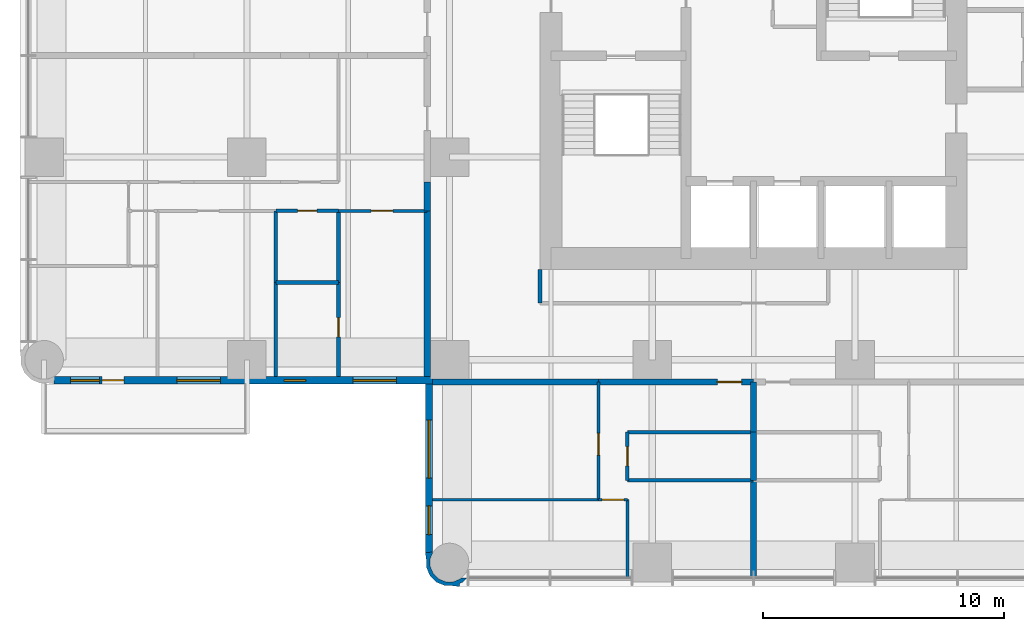
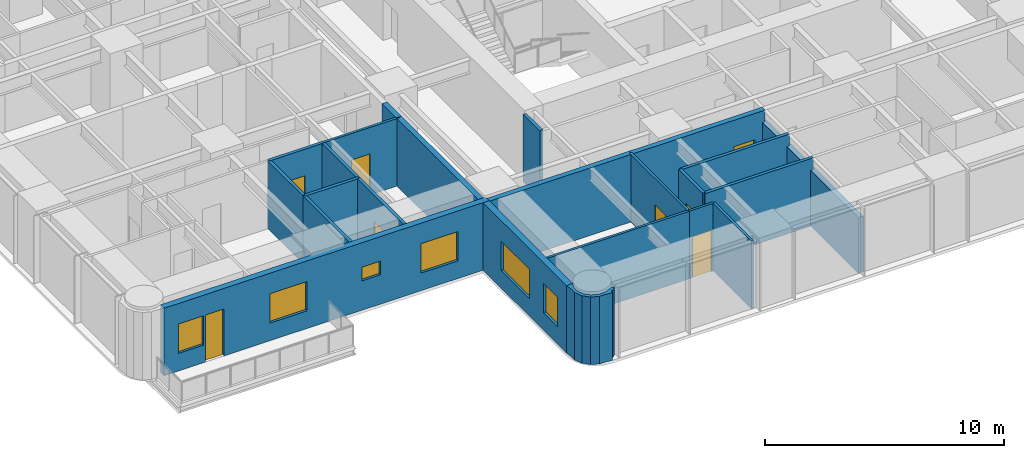
# One storey, part 6 of 14: 25 walls, 8 doors, 6 windows, 14 openings.
"""IFC4 building model written with IfcOpenShell, lengths in metres."""

from ifc_helpers import new_model, si_unit, direction, frame, frame_2d, origin, place, context, subcontext, project, spatial, polyline, rectangle, outline, extrude, material, layer, layer_set, type_object, element, fill, save


model = new_model("IFC4")

# Units and contexts
model_context = context("Model", 3, precision=1e-05, world=origin(), true_north=direction((0.0, 1.0)))
body_context = subcontext(model_context, "Body", "Model", "MODEL_VIEW")
ifc_project = project(units=[si_unit("LENGTHUNIT", "METRE"), si_unit("AREAUNIT", "SQUARE_METRE"), si_unit("VOLUMEUNIT", "CUBIC_METRE"), si_unit("PLANEANGLEUNIT", "RADIAN"), si_unit("MASSUNIT", "GRAM", prefix="KILO")], contexts=[model_context])

# Site, building, storey
site_placement = place(None, origin())
site = spatial("IfcSite", under=ifc_project, at=site_placement, CompositionType="ELEMENT")
building_placement = place(site_placement, origin())
building = spatial("IfcBuilding", under=site, at=building_placement, Name="Torre Alcanfor", CompositionType="ELEMENT")
storey_placement = place(building_placement, frame((0.0, 0.0, 134.10009765625)))
storey = spatial("IfcBuildingStorey", under=building, at=storey_placement, Name="L34", CompositionType="ELEMENT", Elevation=134.10009765625)

# Wall, opening, door
ifc_material_1 = material(Name="Concrete block masonry, hollow blocks NMX-C-404 9 MPa", Category="masonry")
ifc_layer_1 = layer(ifc_material_1, 0.25)
ifc_layer_set_1 = layer_set([ifc_layer_1], Name="Apartment entrance wall 250 EI 60")
wall_type_1 = type_object("IfcWallType", Name="Apartment entrance wall 250 EI 60", PredefinedType="PARTITIONING", material=ifc_layer_set_1)
wall_1_placement = place(storey_placement, frame((29.39990234375, 15.875, 0.0), z_axis=(0.0, 0.0, 1.0), x_axis=(-1.0, 0.0, 0.0)))
wall_1 = element("IfcWall", 1, at=wall_1_placement, inside=storey, type_object=wall_type_1, Name="Partition L34-CORR / L34-S2-LIVING", PredefinedType="PARTITIONING", context=body_context, shape_type="SweptSolid", body=[
    extrude(rectangle(XDim=6.428955078125, YDim=0.25, at=frame_2d((3.21435546875, 0.0))), origin(), (0.0, 0.0, 1.0), 3.449951171875),
])
opening_1_placement = place(wall_1_placement, frame((0.5, 0.0, 0.0)))
opening_1 = element("IfcOpeningElement", 2, at=opening_1_placement, cuts=wall_1, Name="Opening D-A1", PredefinedType="OPENING", context=body_context, shape_type="SweptSolid", body=[
    extrude(rectangle(XDim=1.0, YDim=2.10009765625, at=frame_2d((0.5, 1.050048828125))), frame((0.0, 0.135009765625, 0.0), z_axis=(0.0, -1.0, 0.0), x_axis=(1.0, 0.0, 0.0)), (0.0, 0.0, 1.0), 0.27001953125),
])
ifc_material_2 = material(Name="Galvanised steel sheet ASTM A653", Category="steel")
door_type_1 = type_object("IfcDoorType", Name="Apartment entrance door FD60 1000x2100", OperationType="SINGLE_SWING_LEFT", PredefinedType="DOOR", material=ifc_material_2)
door_1_placement = place(opening_1_placement, origin())
door_1 = element("IfcDoor", 3, at=door_1_placement, inside=storey, type_object=door_type_1, Name="Apartment entrance L34-S2", OperationType="SINGLE_SWING_LEFT", OverallHeight=2.10009765625, OverallWidth=1.0, PredefinedType="DOOR", context=body_context, shape_type="SweptSolid", body=[
    extrude(rectangle(XDim=1.0, YDim=2.10009765625, at=frame_2d((0.5, 1.050048828125))), frame((0.0, 0.02490234375, 0.0), z_axis=(0.0, -1.0, 0.0), x_axis=(1.0, 0.0, 0.0)), (0.0, 0.0, 1.0), 0.050048828125),
])
fill(opening_1, door_1)

# Walls
wall_2_placement = place(storey_placement, frame((22.970947265625, 15.875, 0.0), z_axis=(0.0, 0.0, 1.0), x_axis=(-1.0, 0.0, 0.0)))
element("IfcWall", 4, at=wall_2_placement, inside=storey, type_object=wall_type_1, Name="Partition L34-CORR / L34-S2-BED2", PredefinedType="PARTITIONING", context=body_context, shape_type="SweptSolid", body=[
    extrude(rectangle(XDim=6.870849609375, YDim=0.25, at=frame_2d((3.435546875, 0.0))), origin(), (0.0, 0.0, 1.0), 3.449951171875),
])
wall_3_placement = place(storey_placement, frame((15.875, 22.970947265625, 0.0), z_axis=(0.0, 0.0, 1.0), x_axis=(0.0, 1.0, 0.0)))
element("IfcWall", 5, at=wall_3_placement, inside=storey, type_object=wall_type_1, Name="Partition L34-CORR / L34-W1-HALL", PredefinedType="PARTITIONING", context=body_context, shape_type="SweptSolid", body=[
    extrude(rectangle(XDim=1.199951171875, YDim=0.25, at=frame_2d((0.60009765625, 0.0))), origin(), (0.0, 0.0, 1.0), 3.449951171875),
])
wall_4_placement = place(storey_placement, frame((15.875, 16.10009765625, 0.0), z_axis=(0.0, 0.0, 1.0), x_axis=(0.0, 1.0, 0.0)))
element("IfcWall", 6, at=wall_4_placement, inside=storey, type_object=wall_type_1, Name="Partition L34-CORR / L34-W1-SERV", PredefinedType="PARTITIONING", context=body_context, shape_type="SweptSolid", body=[
    extrude(rectangle(XDim=6.870849609375, YDim=0.25, at=frame_2d((3.435546875, 0.0))), origin(), (0.0, 0.0, 1.0), 3.449951171875),
])

# Wall, opening, door
ifc_material_3 = material(Name="Gypsum board on steel studs", Category="steel")
ifc_layer_2 = layer(ifc_material_3, 0.1201171875)
ifc_layer_set_2 = layer_set([ifc_layer_2], Name="Apartment partition 120")
wall_type_2 = type_object("IfcWallType", Name="Apartment partition 120", PredefinedType="PARTITIONING", material=ifc_layer_set_2)
wall_5_placement = place(storey_placement, frame((22.970947265625, 11.0, 0.0), z_axis=(0.0, 0.0, 1.0), x_axis=(0.0, 1.0, 0.0)))
wall_5 = element("IfcWall", 7, at=wall_5_placement, inside=storey, type_object=wall_type_2, Name="Partition L34-S2-LIVING / L34-S2-BED2", PredefinedType="PARTITIONING", context=body_context, shape_type="SweptSolid", body=[
    extrude(rectangle(XDim=4.875, YDim=0.1201171875, at=frame_2d((2.4375, 0.0))), origin(), (0.0, 0.0, 1.0), 3.449951171875),
])
opening_2_placement = place(wall_5_placement, frame((1.85009765625, 0.0, 0.0)))
opening_2 = element("IfcOpeningElement", 8, at=opening_2_placement, cuts=wall_5, Name="Opening D-R1", PredefinedType="OPENING", context=body_context, shape_type="SweptSolid", body=[
    extrude(rectangle(XDim=0.89990234375, YDim=2.10009765625, at=frame_2d((0.449951171875, 1.050048828125))), frame((0.0, 0.070068359375, 0.0), z_axis=(0.0, -1.0, 0.0), x_axis=(1.0, 0.0, 0.0)), (0.0, 0.0, 1.0), 0.14013671875),
])
ifc_material_4 = material(Name="Timber", Category="wood")
door_type_2 = type_object("IfcDoorType", Name="Internal door 900x2100", OperationType="SINGLE_SWING_LEFT", PredefinedType="DOOR", material=ifc_material_4)
door_2_placement = place(opening_2_placement, origin())
door_2 = element("IfcDoor", 9, at=door_2_placement, inside=storey, type_object=door_type_2, Name="Door L34-S2 bed2", OperationType="SINGLE_SWING_LEFT", OverallHeight=2.10009765625, OverallWidth=0.89990234375, PredefinedType="DOOR", context=body_context, shape_type="SweptSolid", body=[
    extrude(rectangle(XDim=0.89990234375, YDim=2.10009765625, at=frame_2d((0.449951171875, 1.050048828125))), frame((0.0, 0.02490234375, 0.0), z_axis=(0.0, -1.0, 0.0), x_axis=(1.0, 0.0, 0.0)), (0.0, 0.0, 1.0), 0.050048828125),
])
fill(opening_2, door_2)

# Wall
wall_6_placement = place(storey_placement, frame((24.1708984375, 7.75, 0.0), z_axis=(0.0, 0.0, 1.0), x_axis=(0.0, 1.0, 0.0)))
element("IfcWall", 10, at=wall_6_placement, inside=storey, type_object=wall_type_2, Name="Partition L34-S2-LIVING / L34-S2-MASTER", PredefinedType="PARTITIONING", context=body_context, shape_type="SweptSolid", body=[
    extrude(rectangle(XDim=3.25, YDim=0.1201171875, at=frame_2d((1.625, 0.0))), origin(), (0.0, 0.0, 1.0), 3.449951171875),
])

# Wall, opening, door
wall_7_placement = place(storey_placement, frame((24.1708984375, 11.0, 0.0), z_axis=(0.0, 0.0, 1.0), x_axis=(-1.0, 0.0, 0.0)))
wall_7 = element("IfcWall", 11, at=wall_7_placement, inside=storey, type_object=wall_type_2, Name="Partition L34-S2-LIVING / L34-S2-MASTER", PredefinedType="PARTITIONING", context=body_context, shape_type="SweptSolid", body=[
    extrude(rectangle(XDim=1.199951171875, YDim=0.1201171875, at=frame_2d((0.60009765625, 0.0))), origin(), (0.0, 0.0, 1.0), 3.449951171875),
])
opening_3_placement = place(wall_7_placement, frame((0.15087890625, 0.0, 0.0)))
opening_3 = element("IfcOpeningElement", 12, at=opening_3_placement, cuts=wall_7, Name="Opening D-R1", PredefinedType="OPENING", context=body_context, shape_type="SweptSolid", body=[
    extrude(rectangle(XDim=0.89990234375, YDim=2.10009765625, at=frame_2d((0.449951171875, 1.050048828125))), frame((0.0, 0.070068359375, 0.0), z_axis=(0.0, -1.0, 0.0), x_axis=(1.0, 0.0, 0.0)), (0.0, 0.0, 1.0), 0.14013671875),
])
door_3_placement = place(opening_3_placement, origin())
door_3 = element("IfcDoor", 13, at=door_3_placement, inside=storey, type_object=door_type_2, Name="Door L34-S2 master", OperationType="SINGLE_SWING_LEFT", OverallHeight=2.10009765625, OverallWidth=0.89990234375, PredefinedType="DOOR", context=body_context, shape_type="SweptSolid", body=[
    extrude(rectangle(XDim=0.89990234375, YDim=2.10009765625, at=frame_2d((0.449951171875, 1.050048828125))), frame((0.0, 0.02490234375, 0.0), z_axis=(0.0, -1.0, 0.0), x_axis=(1.0, 0.0, 0.0)), (0.0, 0.0, 1.0), 0.050048828125),
])
fill(opening_3, door_3)

# Wall
wall_8_placement = place(storey_placement, frame((22.970947265625, 11.0, 0.0), z_axis=(0.0, 0.0, 1.0), x_axis=(-1.0, 0.0, 0.0)))
element("IfcWall", 14, at=wall_8_placement, inside=storey, type_object=wall_type_2, Name="Partition L34-S2-BED2 / L34-S2-MASTER", PredefinedType="PARTITIONING", context=body_context, shape_type="SweptSolid", body=[
    extrude(rectangle(XDim=6.870849609375, YDim=0.1201171875, at=frame_2d((3.435546875, 0.0))), origin(), (0.0, 0.0, 1.0), 3.449951171875),
])

# Wall, opening, door
wall_9_placement = place(storey_placement, frame((12.199951171875, 22.970947265625, 0.0), z_axis=(0.0, 0.0, 1.0), x_axis=(1.0, 0.0, 0.0)))
wall_9 = element("IfcWall", 15, at=wall_9_placement, inside=storey, type_object=wall_type_2, Name="Partition L34-W1-HALL / L34-W1-SERV", PredefinedType="PARTITIONING", context=body_context, shape_type="SweptSolid", body=[
    extrude(rectangle(XDim=3.675048828125, YDim=0.1201171875, at=frame_2d((1.83740234375, 0.0))), origin(), (0.0, 0.0, 1.0), 3.449951171875),
])
opening_4_placement = place(wall_9_placement, frame((1.35009765625, 0.0, 0.0)))
opening_4 = element("IfcOpeningElement", 16, at=opening_4_placement, cuts=wall_9, Name="Opening D-R1", PredefinedType="OPENING", context=body_context, shape_type="SweptSolid", body=[
    extrude(rectangle(XDim=0.89990234375, YDim=2.10009765625, at=frame_2d((0.449951171875, 1.050048828125))), frame((0.0, 0.070068359375, 0.0), z_axis=(0.0, -1.0, 0.0), x_axis=(1.0, 0.0, 0.0)), (0.0, 0.0, 1.0), 0.14013671875),
])
door_4_placement = place(opening_4_placement, frame((0.89990234375, 0.0, 0.0), z_axis=(0.0, 0.0, 1.0), x_axis=(-1.0, 0.0, 0.0)))
door_4 = element("IfcDoor", 17, at=door_4_placement, inside=storey, type_object=door_type_2, Name="Door L34-W1 serv", OperationType="SINGLE_SWING_RIGHT", OverallHeight=2.10009765625, OverallWidth=0.89990234375, PredefinedType="DOOR", context=body_context, shape_type="SweptSolid", body=[
    extrude(rectangle(XDim=0.89990234375, YDim=2.10009765625, at=frame_2d((0.449951171875, 1.050048828125))), frame((0.0, 0.025146484375, 0.0), z_axis=(0.0, -1.0, 0.0), x_axis=(1.0, 0.0, 0.0)), (0.0, 0.0, 1.0), 0.050048828125),
])
fill(opening_4, door_4)

# Wall, openings, door, windows
ifc_material_5 = material(Name="Limestone cladding", Category="masonry")
ifc_layer_3 = layer(ifc_material_5, 0.0400390625, Name="Facing")
ifc_material_6 = material(Name="Ventilated air cavity")
ifc_layer_4 = layer(ifc_material_6, 0.02001953125, ventilated=True, Name="Ventilated joint")
ifc_material_7 = material(Name="Mineral wool insulation", Category="insulation")
ifc_layer_5 = layer(ifc_material_7, 0.10009765625, Name="Insulation")
ifc_material_8 = material(Name="Concrete f'c 35 MPa", Category="concrete")
ifc_layer_6 = layer(ifc_material_8, 0.139892578125, Name="Backing")
ifc_layer_set_3 = layer_set([ifc_layer_3, ifc_layer_4, ifc_layer_5, ifc_layer_6], Name="External wall stone-clad 300")
wall_type_3 = type_object("IfcWallType", Name="External wall stone-clad 300", PredefinedType="SOLIDWALL", material=ifc_layer_set_3)
wall_10_placement = place(storey_placement, frame((0.39990234375, 15.949951171875, 0.0), z_axis=(0.0, 0.0, 1.0), x_axis=(1.0, 0.0, 0.0)))
wall_10 = element("IfcWall", 18, at=wall_10_placement, inside=storey, type_object=wall_type_3, Name="External wall L34 3", PredefinedType="SOLIDWALL", context=body_context, shape_type="SweptSolid", body=[
    extrude(rectangle(XDim=15.7001953125, YDim=0.300048828125, at=frame_2d((7.85009765625, 0.0))), origin(), (0.0, 0.0, 1.0), 3.449951171875),
])
opening_5_placement = place(wall_10_placement, frame((12.39990234375, 0.0, 0.89990234375)))
opening_5 = element("IfcOpeningElement", 19, at=opening_5_placement, cuts=wall_10, Name="Opening W2", PredefinedType="OPENING", context=body_context, shape_type="SweptSolid", body=[
    extrude(rectangle(XDim=1.800048828125, YDim=1.5, at=frame_2d((0.89990234375, 0.75))), frame((0.0, 0.159912109375, 0.0), z_axis=(0.0, -1.0, 0.0), x_axis=(1.0, 0.0, 0.0)), (0.0, 0.0, 1.0), 0.320068359375),
])
opening_6_placement = place(wall_10_placement, frame((9.550048828125, 0.0, 1.5)))
opening_6 = element("IfcOpeningElement", 20, at=opening_6_placement, cuts=wall_10, Name="Opening W3", PredefinedType="OPENING", context=body_context, shape_type="SweptSolid", body=[
    extrude(rectangle(XDim=0.89990234375, YDim=0.699951171875, at=frame_2d((0.449951171875, 0.35009765625))), frame((0.0, 0.159912109375, 0.0), z_axis=(0.0, -1.0, 0.0), x_axis=(1.0, 0.0, 0.0)), (0.0, 0.0, 1.0), 0.320068359375),
])
opening_7_placement = place(wall_10_placement, frame((5.10009765625, 0.0, 0.89990234375)))
opening_7 = element("IfcOpeningElement", 21, at=opening_7_placement, cuts=wall_10, Name="Opening W2", PredefinedType="OPENING", context=body_context, shape_type="SweptSolid", body=[
    extrude(rectangle(XDim=1.800048828125, YDim=1.5, at=frame_2d((0.89990234375, 0.75))), frame((0.0, 0.159912109375, 0.0), z_axis=(0.0, -1.0, 0.0), x_axis=(1.0, 0.0, 0.0)), (0.0, 0.0, 1.0), 0.320068359375),
])
opening_8_placement = place(wall_10_placement, frame((2.0, 0.0, 0.0)))
opening_8 = element("IfcOpeningElement", 22, at=opening_8_placement, cuts=wall_10, Name="Opening D-B1", PredefinedType="OPENING", context=body_context, shape_type="SweptSolid", body=[
    extrude(rectangle(XDim=0.89990234375, YDim=2.39990234375, at=frame_2d((0.449951171875, 1.199951171875))), frame((0.0, 0.159912109375, 0.0), z_axis=(0.0, -1.0, 0.0), x_axis=(1.0, 0.0, 0.0)), (0.0, 0.0, 1.0), 0.320068359375),
])
opening_9_placement = place(wall_10_placement, frame((0.699951171875, 0.0, 0.89990234375)))
opening_9 = element("IfcOpeningElement", 23, at=opening_9_placement, cuts=wall_10, Name="Opening W4", PredefinedType="OPENING", context=body_context, shape_type="SweptSolid", body=[
    extrude(rectangle(XDim=1.199951171875, YDim=1.5, at=frame_2d((0.60009765625, 0.75))), frame((0.0, 0.159912109375, 0.0), z_axis=(0.0, -1.0, 0.0), x_axis=(1.0, 0.0, 0.0)), (0.0, 0.0, 1.0), 0.320068359375),
])
ifc_material_9 = material(Name="Aluminium and glass", Category="aluminium")
door_type_3 = type_object("IfcDoorType", Name="Balcony door glazed 900x2400", OperationType="SINGLE_SWING_LEFT", PredefinedType="DOOR", material=ifc_material_9)
door_5_placement = place(opening_8_placement, origin())
door_5 = element("IfcDoor", 24, at=door_5_placement, inside=storey, type_object=door_type_3, Name="Balcony door L34-W1", OperationType="SINGLE_SWING_RIGHT", OverallHeight=2.39990234375, OverallWidth=0.89990234375, PredefinedType="DOOR", context=body_context, shape_type="SweptSolid", body=[
    extrude(rectangle(XDim=0.89990234375, YDim=2.39990234375, at=frame_2d((0.449951171875, 1.199951171875))), frame((0.0, 0.02490234375, 0.0), z_axis=(0.0, -1.0, 0.0), x_axis=(1.0, 0.0, 0.0)), (0.0, 0.0, 1.0), 0.050048828125),
])
fill(opening_8, door_5)
ifc_material_10 = material(Name="Aluminium frame with clear double glazing", Category="aluminium")
window_type_1 = type_object("IfcWindowType", Name="Window bathroom 900x700", PartitioningType="SINGLE_PANEL", PredefinedType="WINDOW", material=ifc_material_10)
window_1_placement = place(opening_6_placement, origin())
window_1 = element("IfcWindow", 25, at=window_1_placement, inside=storey, type_object=window_type_1, Name="Window W3 L34-W1", OverallHeight=0.699951171875, OverallWidth=0.89990234375, PartitioningType="SINGLE_PANEL", PredefinedType="WINDOW", context=body_context, shape_type="SweptSolid", body=[
    extrude(rectangle(XDim=0.89990234375, YDim=0.699951171875, at=frame_2d((0.449951171875, 0.35009765625))), frame((0.0, 0.030029296875, 0.0), z_axis=(0.0, -1.0, 0.0), x_axis=(1.0, 0.0, 0.0)), (0.0, 0.0, 1.0), 0.06005859375),
])
fill(opening_6, window_1)
ifc_material_11 = material(Name="Aluminium frame with clear double glazing", Category="aluminium")
window_type_2 = type_object("IfcWindowType", Name="Window bedroom 1200x1500", PartitioningType="SINGLE_PANEL", PredefinedType="WINDOW", material=ifc_material_11)
window_2_placement = place(opening_9_placement, origin())
window_2 = element("IfcWindow", 26, at=window_2_placement, inside=storey, type_object=window_type_2, Name="Window W4 L34-W1", OverallHeight=1.5, OverallWidth=1.199951171875, PartitioningType="SINGLE_PANEL", PredefinedType="WINDOW", context=body_context, shape_type="SweptSolid", body=[
    extrude(rectangle(XDim=1.199951171875, YDim=1.5, at=frame_2d((0.60009765625, 0.75))), frame((0.0, 0.030029296875, 0.0), z_axis=(0.0, -1.0, 0.0), x_axis=(1.0, 0.0, 0.0)), (0.0, 0.0, 1.0), 0.06005859375),
])
fill(opening_9, window_2)
ifc_material_12 = material(Name="Aluminium frame with clear double glazing", Category="aluminium")
window_type_3 = type_object("IfcWindowType", Name="Window bedroom 1800x1500", PartitioningType="SINGLE_PANEL", PredefinedType="WINDOW", material=ifc_material_12)
window_3_placement = place(opening_5_placement, origin())
window_3 = element("IfcWindow", 27, at=window_3_placement, inside=storey, type_object=window_type_3, Name="Window W2 L34-W1", OverallHeight=1.5, OverallWidth=1.800048828125, PartitioningType="SINGLE_PANEL", PredefinedType="WINDOW", context=body_context, shape_type="SweptSolid", body=[
    extrude(rectangle(XDim=1.800048828125, YDim=1.5, at=frame_2d((0.89990234375, 0.75))), frame((0.0, 0.030029296875, 0.0), z_axis=(0.0, -1.0, 0.0), x_axis=(1.0, 0.0, 0.0)), (0.0, 0.0, 1.0), 0.06005859375),
])
fill(opening_5, window_3)
window_4_placement = place(opening_7_placement, origin())
window_4 = element("IfcWindow", 28, at=window_4_placement, inside=storey, type_object=window_type_3, Name="Window W2 L34-W1", OverallHeight=1.5, OverallWidth=1.800048828125, PartitioningType="SINGLE_PANEL", PredefinedType="WINDOW", context=body_context, shape_type="SweptSolid", body=[
    extrude(rectangle(XDim=1.800048828125, YDim=1.5, at=frame_2d((0.89990234375, 0.75))), frame((0.0, 0.030029296875, 0.0), z_axis=(0.0, -1.0, 0.0), x_axis=(1.0, 0.0, 0.0)), (0.0, 0.0, 1.0), 0.06005859375),
])
fill(opening_7, window_4)

# Wall, openings, windows
wall_11_placement = place(storey_placement, frame((15.949951171875, 15.800048828125, 0.0), z_axis=(0.0, 0.0, 1.0), x_axis=(0.0, -1.0, 0.0)))
wall_11 = element("IfcWall", 29, at=wall_11_placement, inside=storey, type_object=wall_type_3, Name="External wall L34 4", PredefinedType="SOLIDWALL", context=body_context, shape_type="SweptSolid", body=[
    extrude(rectangle(XDim=7.0, YDim=0.300048828125, at=frame_2d((3.5, 0.0))), origin(), (0.0, 0.0, 1.0), 3.449951171875),
])
opening_10_placement = place(wall_11_placement, frame((1.5, 0.0, 0.89990234375)))
opening_10 = element("IfcOpeningElement", 30, at=opening_10_placement, cuts=wall_11, Name="Opening W1", PredefinedType="OPENING", context=body_context, shape_type="SweptSolid", body=[
    extrude(rectangle(XDim=2.39990234375, YDim=1.5, at=frame_2d((1.199951171875, 0.75))), frame((0.0, 0.159912109375, 0.0), z_axis=(0.0, -1.0, 0.0), x_axis=(1.0, 0.0, 0.0)), (0.0, 0.0, 1.0), 0.320068359375),
])
opening_11_placement = place(wall_11_placement, frame((5.050048828125, 0.0, 0.89990234375)))
opening_11 = element("IfcOpeningElement", 31, at=opening_11_placement, cuts=wall_11, Name="Opening W4", PredefinedType="OPENING", context=body_context, shape_type="SweptSolid", body=[
    extrude(rectangle(XDim=1.199951171875, YDim=1.5, at=frame_2d((0.60009765625, 0.75))), frame((0.0, 0.159912109375, 0.0), z_axis=(0.0, -1.0, 0.0), x_axis=(1.0, 0.0, 0.0)), (0.0, 0.0, 1.0), 0.320068359375),
])
window_5_placement = place(opening_11_placement, origin())
window_5 = element("IfcWindow", 32, at=window_5_placement, inside=storey, type_object=window_type_2, Name="Window W4 L34-S2", OverallHeight=1.5, OverallWidth=1.199951171875, PartitioningType="SINGLE_PANEL", PredefinedType="WINDOW", context=body_context, shape_type="SweptSolid", body=[
    extrude(rectangle(XDim=1.199951171875, YDim=1.5, at=frame_2d((0.60009765625, 0.75))), frame((0.0, 0.030029296875, 0.0), z_axis=(0.0, -1.0, 0.0), x_axis=(1.0, 0.0, 0.0)), (0.0, 0.0, 1.0), 0.06005859375),
])
fill(opening_11, window_5)
ifc_material_13 = material(Name="Aluminium frame with clear double glazing", Category="aluminium")
window_type_4 = type_object("IfcWindowType", Name="Window bedroom 2400x1500", PartitioningType="SINGLE_PANEL", PredefinedType="WINDOW", material=ifc_material_13)
window_6_placement = place(opening_10_placement, origin())
window_6 = element("IfcWindow", 33, at=window_6_placement, inside=storey, type_object=window_type_4, Name="Window W1 L34-S2", OverallHeight=1.5, OverallWidth=2.39990234375, PartitioningType="SINGLE_PANEL", PredefinedType="WINDOW", context=body_context, shape_type="SweptSolid", body=[
    extrude(rectangle(XDim=2.39990234375, YDim=1.5, at=frame_2d((1.199951171875, 0.75))), frame((0.0, 0.030029296875, 0.0), z_axis=(0.0, -1.0, 0.0), x_axis=(1.0, 0.0, 0.0)), (0.0, 0.0, 1.0), 0.06005859375),
])
fill(opening_10, window_6)

# Walls
ifc_material_14 = material(Name="Concrete block masonry, hollow blocks NMX-C-404 9 MPa", Category="masonry")
ifc_layer_7 = layer(ifc_material_14, 0.25)
ifc_layer_set_4 = layer_set([ifc_layer_7], Name="Party wall 250 EI 60")
wall_type_4 = type_object("IfcWallType", Name="Party wall 250 EI 60", PredefinedType="PARTITIONING", material=ifc_layer_set_4)
wall_12_placement = place(storey_placement, frame((29.39990234375, 13.800048828125, 0.0), z_axis=(0.0, 0.0, 1.0), x_axis=(0.0, -1.0, 0.0)))
element("IfcWall", 34, at=wall_12_placement, inside=storey, type_object=wall_type_4, Name="Partition L34-S1-BATH / L34-S2-BATH", PredefinedType="PARTITIONING", context=body_context, shape_type="SweptSolid", body=[
    extrude(rectangle(XDim=2.0, YDim=0.25, at=frame_2d((1.0, 0.0))), origin(), (0.0, 0.0, 1.0), 2.847900390625),
])
wall_13_placement = place(storey_placement, frame((29.39990234375, 7.75, 0.0), z_axis=(0.0, 0.0, 1.0), x_axis=(0.0, 1.0, 0.0)))
element("IfcWall", 35, at=wall_13_placement, inside=storey, type_object=wall_type_4, Name="Partition L34-S1-LIVING / L34-S2-LIVING", PredefinedType="PARTITIONING", context=body_context, shape_type="SweptSolid", body=[
    extrude(rectangle(XDim=4.050048828125, YDim=0.25, at=frame_2d((2.02490234375, 0.0))), origin(), (0.0, 0.0, 1.0), 2.847900390625),
])
wall_14_placement = place(storey_placement, frame((29.39990234375, 13.800048828125, 0.0), z_axis=(0.0, 0.0, 1.0), x_axis=(0.0, 1.0, 0.0)))
element("IfcWall", 36, at=wall_14_placement, inside=storey, type_object=wall_type_4, Name="Partition L34-S1-LIVING / L34-S2-LIVING", PredefinedType="PARTITIONING", context=body_context, shape_type="SweptSolid", body=[
    extrude(rectangle(XDim=2.074951171875, YDim=0.25, at=frame_2d((1.03759765625, 0.0))), origin(), (0.0, 0.0, 1.0), 2.847900390625),
])
ifc_material_15 = material(Name="Concrete block masonry, hollow blocks NMX-C-404 9 MPa", Category="masonry")
ifc_layer_8 = layer(ifc_material_15, 0.14990234375)
ifc_layer_set_5 = layer_set([ifc_layer_8], Name="Residents' room partition 150")
wall_type_5 = type_object("IfcWallType", Name="Residents' room partition 150", PredefinedType="PARTITIONING", material=ifc_layer_set_5)
wall_15_placement = place(storey_placement, frame((20.550048828125, 20.550048828125, 0.0), z_axis=(0.0, 0.0, 1.0), x_axis=(0.0, -1.0, 0.0)))
element("IfcWall", 37, at=wall_15_placement, inside=storey, type_object=wall_type_5, Name="Partition L34-CORR / L34-G04", PredefinedType="PARTITIONING", context=body_context, shape_type="SweptSolid", body=[
    extrude(rectangle(XDim=1.400146484375, YDim=0.14990234375, at=frame_2d((0.7001953125, 0.0))), origin(), (0.0, 0.0, 1.0), 3.449951171875),
])
ifc_layer_9 = layer(ifc_material_5, 0.0400390625, Name="Facing")
ifc_layer_10 = layer(ifc_material_6, 0.02001953125, ventilated=True, Name="Ventilated joint")
ifc_layer_11 = layer(ifc_material_7, 0.10009765625, Name="Insulation")
ifc_layer_12 = layer(ifc_material_8, 0.139892578125, Name="Backing")
ifc_layer_set_6 = layer_set([ifc_layer_9, ifc_layer_10, ifc_layer_11, ifc_layer_12], Name="Rounded corner pier stone-clad 300")
wall_type_6 = type_object("IfcWallType", Name="Rounded corner pier stone-clad 300", PredefinedType="SOLIDWALL", material=ifc_layer_set_6)
wall_16_placement = place(storey_placement, frame((15.982940512, 8.726823795, 0.0), z_axis=(0.0, 0.0, 1.0), x_axis=(-0.343276641956, -0.93923434088, 0.0)))
element("IfcWall", 38, at=wall_16_placement, inside=storey, type_object=wall_type_6, Name="Corner pier L34 15", PredefinedType="SOLIDWALL", context=body_context, shape_type="SweptSolid", body=[
    extrude(outline(polyline([(0.8285188621172053, 1.5985593448955209), (0.6965961152022397, 1.5690588556644411), (0.6041961706613557, 1.669674810951586), (0.3940973255728224, 1.767303623446145), (0.47128428534856764, 1.55611347990365), (0.5085447362659081, 1.5387992791780876), (0.7240402358503313, 1.3040772160031127), (0.8334093808094493, 1.0048338530031606), (0.8200582319080854, 0.6864716314609828), (0.6857640531711582, 0.3974683020769049), (0.4510419899961833, 0.18197280249248177), (0.15179862699623123, 0.07260365753336384), (-0.11622928371084919, 0.08407628105020303), (-0.1273371975026375, 0.0781969477675098), (-0.14614022874094865, 0.07132471030647711), (-0.0059930226407584886, -0.19691459363495123), (0.26574754989690047, -0.054967852634112954), (0.535410534485363, 0.043590089489965705), (0.8166395849446566, 0.30181686768145743), (0.9775598034528271, 0.6481198820896807), (0.9938114202888776, 1.0296668379252687), (0.8951696703908839, 1.299559127772735), (0.8285188621172053, 1.5985593448955209)])), origin(), (0.0, 0.0, 1.0), 3.449951171875),
])
ifc_material_16 = material(Name="Cement board on steel studs", Category="steel")
ifc_layer_13 = layer(ifc_material_16, 0.14990234375)
ifc_layer_set_7 = layer_set([ifc_layer_13], Name="Wet area partition 150")
wall_type_7 = type_object("IfcWallType", Name="Wet area partition 150", PredefinedType="PARTITIONING", material=ifc_layer_set_7)
wall_17_placement = place(storey_placement, frame((29.39990234375, 11.800048828125, 0.0), z_axis=(0.0, 0.0, 1.0), x_axis=(-1.0, 0.0, 0.0)))
element("IfcWall", 39, at=wall_17_placement, inside=storey, type_object=wall_type_7, Name="Partition L34-S2-BATH / L34-S2-LIVING", PredefinedType="PARTITIONING", context=body_context, shape_type="SweptSolid", body=[
    extrude(rectangle(XDim=5.22900390625, YDim=0.14990234375, at=frame_2d((2.614501953125, 0.0))), origin(), (0.0, 0.0, 1.0), 3.449951171875),
])

# Wall, opening, door
wall_18_placement = place(storey_placement, frame((24.1708984375, 11.800048828125, 0.0), z_axis=(0.0, 0.0, 1.0), x_axis=(0.0, 1.0, 0.0)))
wall_18 = element("IfcWall", 40, at=wall_18_placement, inside=storey, type_object=wall_type_7, Name="Partition L34-S2-BATH / L34-S2-LIVING", PredefinedType="PARTITIONING", context=body_context, shape_type="SweptSolid", body=[
    extrude(rectangle(XDim=2.0, YDim=0.14990234375, at=frame_2d((1.0, 0.0))), origin(), (0.0, 0.0, 1.0), 3.449951171875),
])
opening_12_placement = place(wall_18_placement, frame((0.60009765625, 0.0, 0.0)))
opening_12 = element("IfcOpeningElement", 41, at=opening_12_placement, cuts=wall_18, Name="Opening D-R2", PredefinedType="OPENING", context=body_context, shape_type="SweptSolid", body=[
    extrude(rectangle(XDim=0.800048828125, YDim=2.10009765625, at=frame_2d((0.39990234375, 1.050048828125))), frame((0.0, 0.0849609375, 0.0), z_axis=(0.0, -1.0, 0.0), x_axis=(1.0, 0.0, 0.0)), (0.0, 0.0, 1.0), 0.169921875),
])
ifc_material_17 = material(Name="Timber", Category="wood")
door_type_4 = type_object("IfcDoorType", Name="Bathroom door 800x2100", OperationType="SINGLE_SWING_LEFT", PredefinedType="DOOR", material=ifc_material_17)
door_6_placement = place(opening_12_placement, frame((0.800048828125, 0.0, 0.0), z_axis=(0.0, 0.0, 1.0), x_axis=(-1.0, 0.0, 0.0)))
door_6 = element("IfcDoor", 42, at=door_6_placement, inside=storey, type_object=door_type_4, Name="Door L34-S2 bath", OperationType="SINGLE_SWING_RIGHT", OverallHeight=2.10009765625, OverallWidth=0.800048828125, PredefinedType="DOOR", context=body_context, shape_type="SweptSolid", body=[
    extrude(rectangle(XDim=0.800048828125, YDim=2.10009765625, at=frame_2d((0.400146484375, 1.050048828125))), frame((0.0, 0.025146484375, 0.0), z_axis=(0.0, -1.0, 0.0), x_axis=(1.0, 0.0, 0.0)), (0.0, 0.0, 1.0), 0.050048828125),
])
fill(opening_12, door_6)

# Wall
wall_19_placement = place(storey_placement, frame((24.1708984375, 13.800048828125, 0.0), z_axis=(0.0, 0.0, 1.0), x_axis=(1.0, 0.0, 0.0)))
element("IfcWall", 43, at=wall_19_placement, inside=storey, type_object=wall_type_7, Name="Partition L34-S2-BATH / L34-S2-LIVING", PredefinedType="PARTITIONING", context=body_context, shape_type="SweptSolid", body=[
    extrude(rectangle(XDim=5.22900390625, YDim=0.14990234375, at=frame_2d((2.614501953125, 0.0))), origin(), (0.0, 0.0, 1.0), 3.449951171875),
])

# Wall, opening, door
wall_20_placement = place(storey_placement, frame((9.60009765625, 22.970947265625, 0.0), z_axis=(0.0, 0.0, 1.0), x_axis=(1.0, 0.0, 0.0)))
wall_20 = element("IfcWall", 44, at=wall_20_placement, inside=storey, type_object=wall_type_7, Name="Partition L34-W1-HALL / L34-W1-BATH1", PredefinedType="PARTITIONING", context=body_context, shape_type="SweptSolid", body=[
    extrude(rectangle(XDim=2.599853515625, YDim=0.14990234375, at=frame_2d((1.2998046875, 0.0))), origin(), (0.0, 0.0, 1.0), 3.449951171875),
])
opening_13_placement = place(wall_20_placement, frame((0.89990234375, 0.0, 0.0)))
opening_13 = element("IfcOpeningElement", 45, at=opening_13_placement, cuts=wall_20, Name="Opening D-R2", PredefinedType="OPENING", context=body_context, shape_type="SweptSolid", body=[
    extrude(rectangle(XDim=0.800048828125, YDim=2.10009765625, at=frame_2d((0.39990234375, 1.050048828125))), frame((0.0, 0.0849609375, 0.0), z_axis=(0.0, -1.0, 0.0), x_axis=(1.0, 0.0, 0.0)), (0.0, 0.0, 1.0), 0.169921875),
])
door_7_placement = place(opening_13_placement, frame((0.800048828125, 0.0, 0.0), z_axis=(0.0, 0.0, 1.0), x_axis=(-1.0, 0.0, 0.0)))
door_7 = element("IfcDoor", 46, at=door_7_placement, inside=storey, type_object=door_type_4, Name="Door L34-W1 bath1", OperationType="SINGLE_SWING_RIGHT", OverallHeight=2.10009765625, OverallWidth=0.800048828125, PredefinedType="DOOR", context=body_context, shape_type="SweptSolid", body=[
    extrude(rectangle(XDim=0.800048828125, YDim=2.10009765625, at=frame_2d((0.400146484375, 1.050048828125))), frame((0.0, 0.025146484375, 0.0), z_axis=(0.0, -1.0, 0.0), x_axis=(1.0, 0.0, 0.0)), (0.0, 0.0, 1.0), 0.050048828125),
])
fill(opening_13, door_7)

# Wall
wall_21_placement = place(storey_placement, frame((12.199951171875, 22.970947265625, 0.0), z_axis=(0.0, 0.0, 1.0), x_axis=(0.0, -1.0, 0.0)))
element("IfcWall", 47, at=wall_21_placement, inside=storey, type_object=wall_type_7, Name="Partition L34-W1-SERV / L34-W1-BATH1", PredefinedType="PARTITIONING", context=body_context, shape_type="SweptSolid", body=[
    extrude(rectangle(XDim=2.970947265625, YDim=0.14990234375, at=frame_2d((1.4853515625, 0.0))), origin(), (0.0, 0.0, 1.0), 3.449951171875),
])

# Wall, opening, door
wall_22_placement = place(storey_placement, frame((12.199951171875, 20.0, 0.0), z_axis=(0.0, 0.0, 1.0), x_axis=(0.0, -1.0, 0.0)))
wall_22 = element("IfcWall", 48, at=wall_22_placement, inside=storey, type_object=wall_type_7, Name="Partition L34-W1-SERV / L34-W1-SBATH", PredefinedType="PARTITIONING", context=body_context, shape_type="SweptSolid", body=[
    extrude(rectangle(XDim=3.89990234375, YDim=0.14990234375, at=frame_2d((1.949951171875, 0.0))), origin(), (0.0, 0.0, 1.0), 3.449951171875),
])
opening_14_placement = place(wall_22_placement, frame((1.449951171875, 0.0, 0.0)))
opening_14 = element("IfcOpeningElement", 49, at=opening_14_placement, cuts=wall_22, Name="Opening D-R2", PredefinedType="OPENING", context=body_context, shape_type="SweptSolid", body=[
    extrude(rectangle(XDim=0.800048828125, YDim=2.10009765625, at=frame_2d((0.39990234375, 1.050048828125))), frame((0.0, 0.0849609375, 0.0), z_axis=(0.0, -1.0, 0.0), x_axis=(1.0, 0.0, 0.0)), (0.0, 0.0, 1.0), 0.169921875),
])
door_8_placement = place(opening_14_placement, frame((0.800048828125, 0.0, 0.0), z_axis=(0.0, 0.0, 1.0), x_axis=(-1.0, 0.0, 0.0)))
door_8 = element("IfcDoor", 50, at=door_8_placement, inside=storey, type_object=door_type_4, Name="Door L34-W1 sbath", OperationType="SINGLE_SWING_RIGHT", OverallHeight=2.10009765625, OverallWidth=0.800048828125, PredefinedType="DOOR", context=body_context, shape_type="SweptSolid", body=[
    extrude(rectangle(XDim=0.800048828125, YDim=2.10009765625, at=frame_2d((0.400146484375, 1.050048828125))), frame((0.0, 0.025146484375, 0.0), z_axis=(0.0, -1.0, 0.0), x_axis=(1.0, 0.0, 0.0)), (0.0, 0.0, 1.0), 0.050048828125),
])
fill(opening_14, door_8)

# Walls
wall_23_placement = place(storey_placement, frame((9.60009765625, 20.0, 0.0), z_axis=(0.0, 0.0, 1.0), x_axis=(1.0, 0.0, 0.0)))
element("IfcWall", 51, at=wall_23_placement, inside=storey, type_object=wall_type_7, Name="Partition L34-W1-BATH1 / L34-W1-SBATH", PredefinedType="PARTITIONING", context=body_context, shape_type="SweptSolid", body=[
    extrude(rectangle(XDim=2.599853515625, YDim=0.14990234375, at=frame_2d((1.2998046875, 0.0))), origin(), (0.0, 0.0, 1.0), 3.449951171875),
])
wall_24_placement = place(storey_placement, frame((9.60009765625, 22.970947265625, 0.0), z_axis=(0.0, 0.0, 1.0), x_axis=(0.0, -1.0, 0.0)))
element("IfcWall", 52, at=wall_24_placement, inside=storey, type_object=wall_type_7, Name="Partition L34-W1-BATH1 / L34-W1-BED3", PredefinedType="PARTITIONING", context=body_context, shape_type="SweptSolid", body=[
    extrude(rectangle(XDim=2.970947265625, YDim=0.14990234375, at=frame_2d((1.4853515625, 0.0))), origin(), (0.0, 0.0, 1.0), 3.449951171875),
])
wall_25_placement = place(storey_placement, frame((9.60009765625, 20.0, 0.0), z_axis=(0.0, 0.0, 1.0), x_axis=(0.0, -1.0, 0.0)))
element("IfcWall", 53, at=wall_25_placement, inside=storey, type_object=wall_type_7, Name="Partition L34-W1-SBATH / L34-W1-BED3", PredefinedType="PARTITIONING", context=body_context, shape_type="SweptSolid", body=[
    extrude(rectangle(XDim=3.89990234375, YDim=0.14990234375, at=frame_2d((1.949951171875, 0.0))), origin(), (0.0, 0.0, 1.0), 3.449951171875),
])

save(model, "model.ifc")
